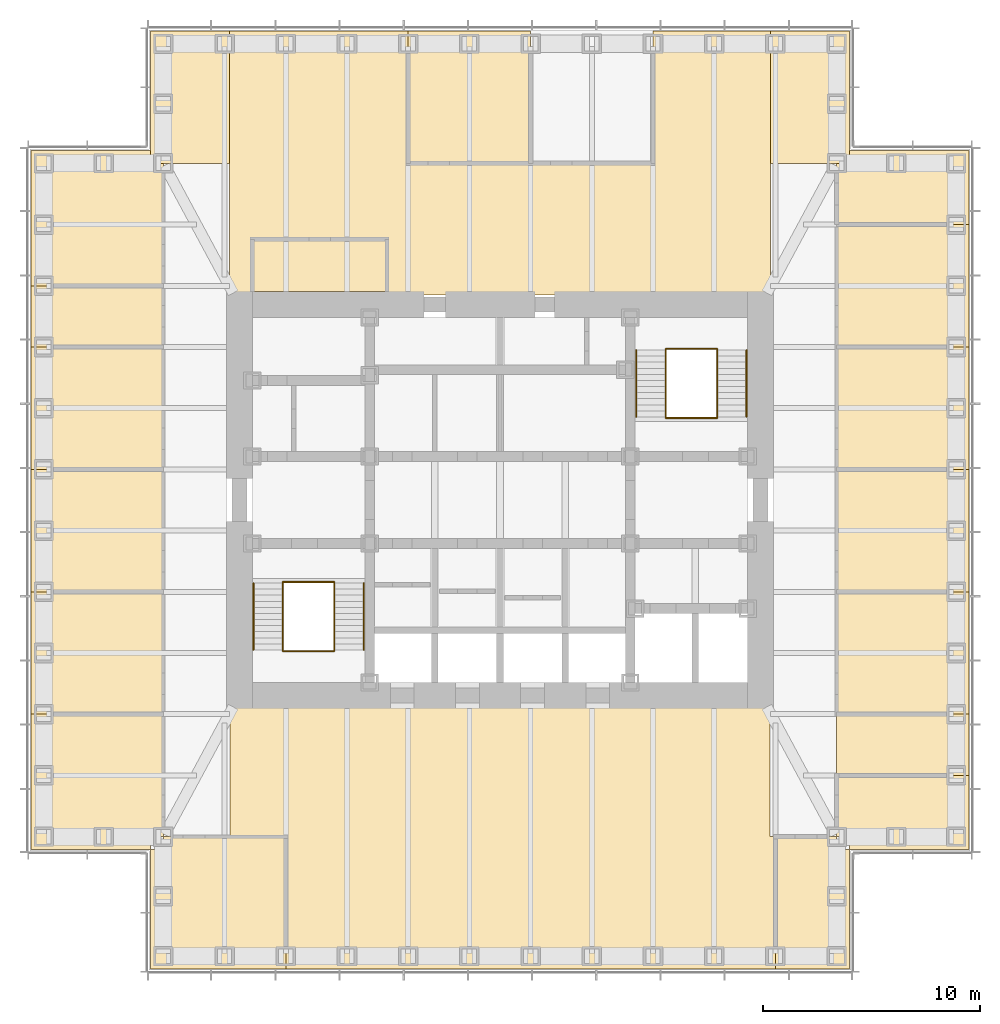
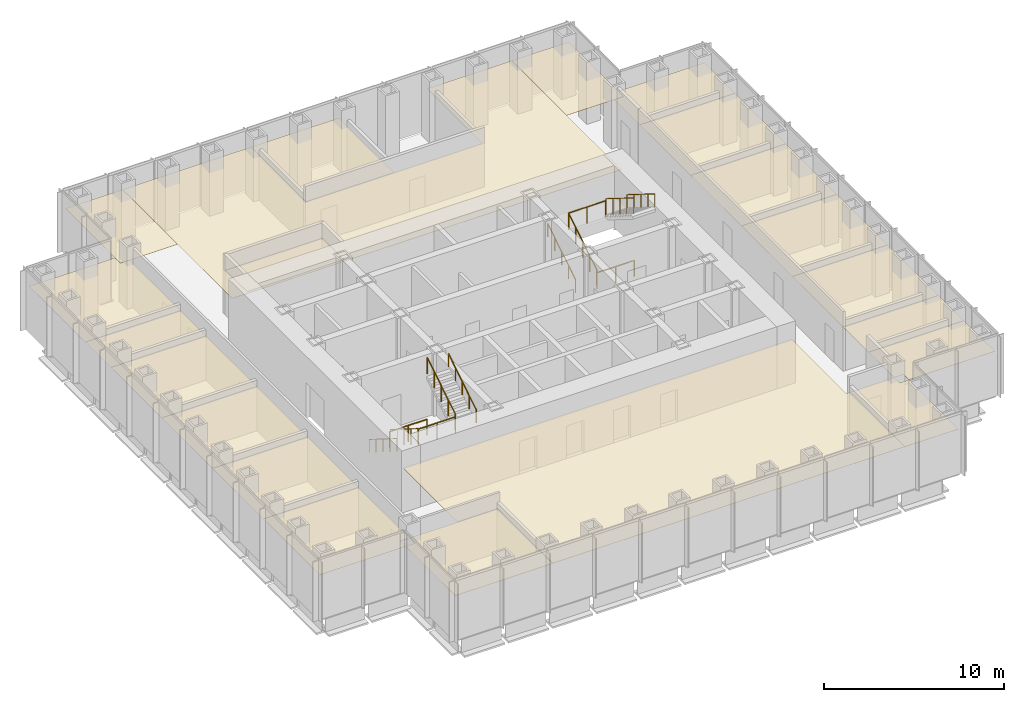
# One storey, part 16 of 16: 21 coverings, 12 railings.
"""IFC4 building model written with IfcOpenShell, lengths in metres."""

import ifcopenshell
import ifcopenshell.guid

model = None  # the IFC model being written
_history = None  # IfcOwnerHistory: only IFC2X3 demands one
_inside = {}  # id of a spatial element -> (the spatial element, [elements in it])
_under = {}  # id of a project, library or spatial element -> (it, [spatial elements below it])
_declared = {}  # id of a project -> (the project, [libraries it declares])
_typed = {}  # id of a type object -> (the type object, [elements of that type])
_made_of = {}  # id of a material, layer set ... -> (it, [elements and type objects made of it])


def new_model(schema):
    """Start an empty IFC model of exactly this schema.

    Asked for "IFC4X3", IfcOpenShell would pick the latest addendum, in which some entities
    have other attributes; the version numbers below select the first issue.
    IFC2X3 requires an IfcOwnerHistory on every rooted entity: one is made here for all.
    """
    global model, _history
    if schema == "IFC4X3":
        model = ifcopenshell.file(schema_version=(4, 3, 0, 0))
    else:
        model = ifcopenshell.file(schema=schema)
    _inside.clear()
    _under.clear()
    _declared.clear()
    _typed.clear()
    _made_of.clear()
    _history = None
    if model.schema == "IFC2X3":
        org = make("IfcOrganization", Name="unknown")
        user = make(
            "IfcPersonAndOrganization",
            ThePerson=make("IfcPerson", FamilyName="unknown"),
            TheOrganization=org,
        )
        app = make(
            "IfcApplication",
            ApplicationDeveloper=org,
            Version="unknown",
            ApplicationFullName="unknown",
            ApplicationIdentifier="unknown",
        )
        _history = make(
            "IfcOwnerHistory",
            OwningUser=user,
            OwningApplication=app,
            ChangeAction="ADDED",
            CreationDate=0,
        )
    return model


def make(cls, **values):
    """One entity of the class cls with the attributes given. An attribute that is None is left unset."""
    return model.create_entity(
        cls, **{name: value for name, value in values.items() if value is not None}
    )


def rooted(cls, **values):
    """An entity with a GlobalId (a new one), such as an element, a storey or a relation."""
    return make(cls, GlobalId=ifcopenshell.guid.new(), OwnerHistory=_history, **values)


def si_unit(unit_type, name, prefix=None):
    """IfcSIUnit, for example si_unit("LENGTHUNIT", "METRE", prefix="MILLI")."""
    return make("IfcSIUnit", UnitType=unit_type, Prefix=prefix, Name=name)


def assignment(units):
    """IfcUnitAssignment: the units of a project."""
    return None if units is None else make("IfcUnitAssignment", Units=units)


def point(xyz):
    """IfcCartesianPoint."""
    return None if xyz is None else make("IfcCartesianPoint", Coordinates=xyz)


def direction(xyz):
    """IfcDirection."""
    return None if xyz is None else make("IfcDirection", DirectionRatios=xyz)


def frame(location, z_axis=None, x_axis=None):
    """IfcAxis2Placement3D, a coordinate frame: its origin and axes. An axis left out is left unset."""
    return make(
        "IfcAxis2Placement3D",
        Location=point(location),
        Axis=direction(z_axis),
        RefDirection=direction(x_axis),
    )


def frame_2d(location, x_axis=None):
    """IfcAxis2Placement2D, a coordinate frame in the plane: its origin and x axis."""
    return make(
        "IfcAxis2Placement2D", Location=point(location), RefDirection=direction(x_axis)
    )


def origin():
    """The frame at (0, 0, 0) with its axes left unset."""
    return frame((0.0, 0.0, 0.0))


def origin_2d():
    """The frame at (0, 0) in the plane with its x axis left unset."""
    return frame_2d((0.0, 0.0))


def place(relative_to, where):
    """IfcLocalPlacement: puts the frame where relative to a parent placement (None: the world)."""
    return make(
        "IfcLocalPlacement", PlacementRelTo=relative_to, RelativePlacement=where
    )


def context(
    kind, dimensions, precision=None, world=None, true_north=None, identifier=None
):
    """IfcGeometricRepresentationContext, for example the 3D "Model" context."""
    return make(
        "IfcGeometricRepresentationContext",
        ContextIdentifier=identifier,
        ContextType=kind,
        CoordinateSpaceDimension=dimensions,
        Precision=precision,
        WorldCoordinateSystem=world,
        TrueNorth=true_north,
    )


def subcontext(parent, identifier, kind, view, scale=None):
    """IfcGeometricRepresentationSubContext, for example "Body" below "Model"."""
    return make(
        "IfcGeometricRepresentationSubContext",
        ContextIdentifier=identifier,
        ContextType=kind,
        ParentContext=parent,
        TargetScale=scale,
        TargetView=view,
    )


def project(units=None, contexts=None):
    """IfcProject with its units and contexts."""
    return rooted(
        "IfcProject",
        Name="project",
        RepresentationContexts=contexts,
        UnitsInContext=assignment(units),
    )


def spatial(cls, under=None, at=None, **own):
    """A site, building, storey or space (cls), placed at a placement, below another one or the project."""
    s = rooted(cls, ObjectPlacement=at, **own)
    if under is not None:
        _under.setdefault(under.id(), (under, []))[1].append(s)
    return s


def polyline(points):
    """IfcPolyline through the points."""
    return make("IfcPolyline", Points=[point(p) for p in points])


def profile(cls, at=None, kind="AREA", **sizes):
    """A parametric profile (cls). Its sizes go by their IFC names, for example OverallWidth=200.0."""
    return make(cls, ProfileType=kind, Position=at, **sizes)


def circle(**sizes):
    """IfcCircleProfileDef."""
    return profile("IfcCircleProfileDef", **sizes)


def outline(outer, holes=None, kind="AREA"):
    """IfcArbitraryClosedProfileDef: a profile drawn as a closed curve; with holes, ...WithVoids."""
    if holes is None:
        return make("IfcArbitraryClosedProfileDef", ProfileType=kind, OuterCurve=outer)
    return make(
        "IfcArbitraryProfileDefWithVoids",
        ProfileType=kind,
        OuterCurve=outer,
        InnerCurves=holes,
    )


def extrude(swept, where, along, depth):
    """IfcExtrudedAreaSolid: the profile swept, set in the frame where, extruded along a direction by depth."""
    return make(
        "IfcExtrudedAreaSolid",
        SweptArea=swept,
        Position=where,
        ExtrudedDirection=direction(along),
        Depth=depth,
    )


def shape(context_of_items, identifier, shape_type, items):
    """IfcShapeRepresentation: the items that make up one representation, for example the "Body"."""
    return make(
        "IfcShapeRepresentation",
        ContextOfItems=context_of_items,
        RepresentationIdentifier=identifier,
        RepresentationType=shape_type,
        Items=items,
    )


def material(Name=None, Category=None):
    """IfcMaterial."""
    return make("IfcMaterial", Name=Name, Category=Category)


def layer(
    of_material, thickness, ventilated=None, Name=None, Category=None, Priority=None
):
    """IfcMaterialLayer: one layer of a wall or slab, of a material (None: an air gap)."""
    return make(
        "IfcMaterialLayer",
        Material=of_material,
        LayerThickness=thickness,
        IsVentilated=ventilated,
        Name=Name,
        Category=Category,
        Priority=Priority,
    )


def layer_set(layers, Name=None):
    """IfcMaterialLayerSet."""
    return make("IfcMaterialLayerSet", MaterialLayers=layers, LayerSetName=Name)


def made_of(thing, what):
    """Note that an element or type object is made of a material, layer set ...; save() writes the relation."""
    if what is not None:
        _made_of.setdefault(what.id(), (what, []))[1].append(thing)
    return thing


def type_object(cls, material=None, **own):
    """A type object (cls), such as IfcWallType, which elements share."""
    return made_of(rooted(cls, **own), material)


def element(
    cls,
    number,
    at=None,
    inside=None,
    cuts=None,
    type_object=None,
    material=None,
    context=None,
    identifier="Body",
    shape_type=None,
    held_by="IfcProductDefinitionShape",
    body=None,
    shapes=None,
    **own,
):
    """One element of the class cls, such as IfcWall. Its Tag is "e" and its number.

    at: its placement. inside: the storey or other place that contains it. cuts: it is an
    opening in that element (IfcRelVoidsElement). A single representation is given by context,
    identifier, shape_type and body (its items); several are given by shapes. held_by: the class
    of the entity that holds the representations. save() writes the other relations.
    """
    e = rooted(cls, Tag="e%d" % number, ObjectPlacement=at, **own)
    if body is not None:
        shapes = [shape(context, identifier, shape_type, body)]
    if shapes is not None:
        e.Representation = make(held_by, Representations=shapes)
    if inside is not None:
        _inside.setdefault(inside.id(), (inside, []))[1].append(e)
    if cuts is not None:
        rooted(
            "IfcRelVoidsElement", RelatingBuildingElement=cuts, RelatedOpeningElement=e
        )
    if type_object is not None:
        _typed.setdefault(type_object.id(), (type_object, []))[1].append(e)
    return made_of(e, material)


def aggregate(whole, parts):
    """IfcRelAggregates: a whole, such as a stair, and the parts it consists of."""
    return rooted("IfcRelAggregates", RelatingObject=whole, RelatedObjects=parts)


def save(model, path):
    """Write the relations noted so far, then the file.

    IfcRelAggregates (storeys below a building ...), IfcRelContainedInSpatialStructure (elements
    in a storey), IfcRelDefinesByType, IfcRelAssociatesMaterial and IfcRelDeclares: one each for
    every whole, place, type object, material and project.
    """
    for whole, parts in _under.values():
        aggregate(whole, parts)
    for where, things in _inside.values():
        rooted(
            "IfcRelContainedInSpatialStructure",
            RelatedElements=things,
            RelatingStructure=where,
        )
    for kind, things in _typed.values():
        rooted("IfcRelDefinesByType", RelatedObjects=things, RelatingType=kind)
    for what, things in _made_of.values():
        rooted("IfcRelAssociatesMaterial", RelatedObjects=things, RelatingMaterial=what)
    for by, libraries in _declared.values():
        rooted("IfcRelDeclares", RelatingContext=by, RelatedDefinitions=libraries)
    model.write(path)


model = new_model("IFC4")

# Units and contexts
model_context = context("Model", 3, precision=1e-05, world=origin(), true_north=direction((0.0, 1.0)))
body_context = subcontext(model_context, "Body", "Model", "MODEL_VIEW")
ifc_project = project(units=[si_unit("LENGTHUNIT", "METRE"), si_unit("AREAUNIT", "SQUARE_METRE"), si_unit("VOLUMEUNIT", "CUBIC_METRE"), si_unit("PLANEANGLEUNIT", "RADIAN"), si_unit("MASSUNIT", "GRAM", prefix="KILO")], contexts=[model_context])

# Site, building, storey
site_placement = place(None, origin())
site = spatial("IfcSite", under=ifc_project, at=site_placement, CompositionType="ELEMENT")
building_placement = place(site_placement, origin())
building = spatial("IfcBuilding", under=site, at=building_placement, Name="Daluyong Arena Tower", CompositionType="ELEMENT")
storey_placement = place(building_placement, frame((0.0, 0.0, 189.699951171875)))
storey = spatial("IfcBuildingStorey", under=building, at=storey_placement, Name="L42", CompositionType="ELEMENT", Elevation=189.699951171875)

# Coverings
ifc_material_1 = material(Name="Mineral fibre ceiling tile", Category="gypsum board")
ifc_layer = layer(ifc_material_1, 0.02001953125)
ifc_layer_set = layer_set([ifc_layer], Name="Mineral fibre ceiling tile")
covering_type = type_object("IfcCoveringType", Name="Office ceiling", PredefinedType="CEILING", material=ifc_layer_set)
covering_1_placement = place(storey_placement, frame((0.0, 0.0, 2.900146484375)))
element("IfcCovering", 1, at=covering_1_placement, inside=storey, type_object=covering_type, Name="ceiling L42-01", PredefinedType="CEILING", context=body_context, shape_type="SweptSolid", body=[
    extrude(outline(polyline([(39.89990234375, 63.89990234375), (39.89990234375, 58.39990234375), (46.136474609375, 58.39990234375), (46.136474609375, 64.5), (40.5, 64.5), (40.5, 63.89990234375), (39.89990234375, 63.89990234375)])), origin(), (0.0, 0.0, 1.0), 0.02001953125),
])
covering_2_placement = place(storey_placement, frame((0.0, 0.0, 2.900146484375)))
element("IfcCovering", 2, at=covering_2_placement, inside=storey, type_object=covering_type, Name="ceiling L42-02", PredefinedType="CEILING", context=body_context, shape_type="SweptSolid", body=[
    extrude(outline(polyline([(72.10009765625, 58.39990234375), (72.10009765625, 63.89990234375), (71.5, 63.89990234375), (71.5, 64.5), (68.681884765625, 64.5), (68.681884765625, 58.39990234375), (72.10009765625, 58.39990234375)])), origin(), (0.0, 0.0, 1.0), 0.02001953125),
])
covering_3_placement = place(storey_placement, frame((0.0, 0.0, 2.900146484375)))
element("IfcCovering", 3, at=covering_3_placement, inside=storey, type_object=covering_type, Name="ceiling L42-03", PredefinedType="CEILING", context=body_context, shape_type="SweptSolid", body=[
    extrude(outline(polyline([(72.10009765625, 63.89990234375), (77.60009765625, 63.89990234375), (77.60009765625, 67.318115234375), (71.5, 67.318115234375), (71.5, 64.5), (72.10009765625, 64.5), (72.10009765625, 63.89990234375)])), origin(), (0.0, 0.0, 1.0), 0.02001953125),
])
covering_4_placement = place(storey_placement, frame((0.0, 0.0, 2.900146484375)))
element("IfcCovering", 4, at=covering_4_placement, inside=storey, type_object=covering_type, Name="ceiling L42-04", PredefinedType="CEILING", context=body_context, shape_type="SweptSolid", body=[
    extrude(outline(polyline([(71.5, 70.136474609375), (77.60009765625, 70.136474609375), (77.60009765625, 75.772705078125), (71.5, 75.772705078125), (71.5, 70.136474609375)])), origin(), (0.0, 0.0, 1.0), 0.02001953125),
])
covering_5_placement = place(storey_placement, frame((0.0, 0.0, 2.900146484375)))
element("IfcCovering", 5, at=covering_5_placement, inside=storey, type_object=covering_type, Name="ceiling L42-05", PredefinedType="CEILING", context=body_context, shape_type="SweptSolid", body=[
    extrude(outline(polyline([(71.5, 75.772705078125), (77.60009765625, 75.772705078125), (77.60009765625, 81.4091796875), (71.5, 81.4091796875), (71.5, 75.772705078125)])), origin(), (0.0, 0.0, 1.0), 0.02001953125),
])
covering_6_placement = place(storey_placement, frame((0.0, 0.0, 2.900146484375)))
element("IfcCovering", 6, at=covering_6_placement, inside=storey, type_object=covering_type, Name="ceiling L42-06", PredefinedType="CEILING", context=body_context, shape_type="SweptSolid", body=[
    extrude(outline(polyline([(71.5, 81.4091796875), (77.60009765625, 81.4091796875), (77.60009765625, 87.04541015625), (71.5, 87.04541015625), (71.5, 81.4091796875)])), origin(), (0.0, 0.0, 1.0), 0.02001953125),
])
covering_7_placement = place(storey_placement, frame((0.0, 0.0, 2.900146484375)))
element("IfcCovering", 7, at=covering_7_placement, inside=storey, type_object=covering_type, Name="ceiling L42-07", PredefinedType="CEILING", context=body_context, shape_type="SweptSolid", body=[
    extrude(outline(polyline([(71.5, 87.04541015625), (77.60009765625, 87.04541015625), (77.60009765625, 92.681884765625), (71.5, 92.681884765625), (71.5, 87.04541015625)])), origin(), (0.0, 0.0, 1.0), 0.02001953125),
])
covering_8_placement = place(storey_placement, frame((0.0, 0.0, 2.900146484375)))
element("IfcCovering", 8, at=covering_8_placement, inside=storey, type_object=covering_type, Name="ceiling L42-08", PredefinedType="CEILING", context=body_context, shape_type="SweptSolid", body=[
    extrude(outline(polyline([(71.5, 92.681884765625), (77.60009765625, 92.681884765625), (77.60009765625, 96.10009765625), (72.10009765625, 96.10009765625), (72.10009765625, 95.5), (71.5, 95.5), (71.5, 92.681884765625)])), origin(), (0.0, 0.0, 1.0), 0.02001953125),
])
covering_9_placement = place(storey_placement, frame((0.0, 0.0, 2.900146484375)))
element("IfcCovering", 9, at=covering_9_placement, inside=storey, type_object=covering_type, Name="ceiling L42-09", PredefinedType="CEILING", context=body_context, shape_type="SweptSolid", body=[
    extrude(outline(polyline([(57.4091796875, 95.5), (57.4091796875, 101.60009765625), (51.772705078125, 101.60009765625), (51.772705078125, 95.5), (57.4091796875, 95.5)])), origin(), (0.0, 0.0, 1.0), 0.02001953125),
])
covering_10_placement = place(storey_placement, frame((0.0, 0.0, 2.900146484375)))
element("IfcCovering", 10, at=covering_10_placement, inside=storey, type_object=covering_type, Name="ceiling L42-11", PredefinedType="CEILING", context=body_context, shape_type="SweptSolid", body=[
    extrude(outline(polyline([(34.39990234375, 63.89990234375), (39.89990234375, 63.89990234375), (39.89990234375, 64.5), (40.5, 64.5), (40.5, 70.136474609375), (34.39990234375, 70.136474609375), (34.39990234375, 63.89990234375)])), origin(), (0.0, 0.0, 1.0), 0.02001953125),
])
covering_11_placement = place(storey_placement, frame((0.0, 0.0, 2.900146484375)))
element("IfcCovering", 11, at=covering_11_placement, inside=storey, type_object=covering_type, Name="ceiling L42-12", PredefinedType="CEILING", context=body_context, shape_type="SweptSolid", body=[
    extrude(outline(polyline([(40.5, 75.772705078125), (34.39990234375, 75.772705078125), (34.39990234375, 70.136474609375), (40.5, 70.136474609375), (40.5, 75.772705078125)])), origin(), (0.0, 0.0, 1.0), 0.02001953125),
])
covering_12_placement = place(storey_placement, frame((0.0, 0.0, 2.900146484375)))
element("IfcCovering", 12, at=covering_12_placement, inside=storey, type_object=covering_type, Name="ceiling L42-13", PredefinedType="CEILING", context=body_context, shape_type="SweptSolid", body=[
    extrude(outline(polyline([(40.5, 81.4091796875), (34.39990234375, 81.4091796875), (34.39990234375, 75.772705078125), (40.5, 75.772705078125), (40.5, 81.4091796875)])), origin(), (0.0, 0.0, 1.0), 0.02001953125),
])
covering_13_placement = place(storey_placement, frame((0.0, 0.0, 2.900146484375)))
element("IfcCovering", 13, at=covering_13_placement, inside=storey, type_object=covering_type, Name="ceiling L42-14", PredefinedType="CEILING", context=body_context, shape_type="SweptSolid", body=[
    extrude(outline(polyline([(40.5, 87.04541015625), (34.39990234375, 87.04541015625), (34.39990234375, 81.4091796875), (40.5, 81.4091796875), (40.5, 87.04541015625)])), origin(), (0.0, 0.0, 1.0), 0.02001953125),
])
covering_14_placement = place(storey_placement, frame((0.0, 0.0, 2.900146484375)))
element("IfcCovering", 14, at=covering_14_placement, inside=storey, type_object=covering_type, Name="ceiling L42-15", PredefinedType="CEILING", context=body_context, shape_type="SweptSolid", body=[
    extrude(outline(polyline([(40.5, 89.863525390625), (34.39990234375, 89.863525390625), (34.39990234375, 87.04541015625), (40.5, 87.04541015625), (40.5, 89.863525390625)])), origin(), (0.0, 0.0, 1.0), 0.02001953125),
])
covering_15_placement = place(storey_placement, frame((0.0, 0.0, 2.900146484375)))
element("IfcCovering", 15, at=covering_15_placement, inside=storey, type_object=covering_type, Name="ceiling L42-16", PredefinedType="CEILING", context=body_context, shape_type="SweptSolid", body=[
    extrude(outline(polyline([(40.5, 89.863525390625), (40.5, 95.5), (39.89990234375, 95.5), (39.89990234375, 96.10009765625), (34.39990234375, 96.10009765625), (34.39990234375, 89.863525390625), (40.5, 89.863525390625)])), origin(), (0.0, 0.0, 1.0), 0.02001953125),
])
covering_16_placement = place(storey_placement, frame((0.0, 0.0, 2.900146484375)))
element("IfcCovering", 16, at=covering_16_placement, inside=storey, type_object=covering_type, Name="ceiling L42-17", PredefinedType="CEILING", context=body_context, shape_type="SweptSolid", body=[
    extrude(outline(polyline([(44.60009765625, 89.60009765625), (50.800048828125, 89.60009765625), (50.800048828125, 92.0), (44.60009765625, 92.0), (44.60009765625, 89.60009765625)])), origin(), (0.0, 0.0, 1.0), 0.02001953125),
])
covering_17_placement = place(storey_placement, frame((0.0, 0.0, 2.900146484375)))
element("IfcCovering", 17, at=covering_17_placement, inside=storey, type_object=covering_type, Name="ceiling L42-20", PredefinedType="CEILING", context=body_context, shape_type="SweptSolid", body=[
    extrude(outline(polyline([(68.449951171875, 58.39990234375), (68.681884765625, 58.400146484375), (68.681884765625, 64.499755859375), (68.43994140625, 64.5), (68.43994140625, 70.5400390625), (43.56005859375, 70.5400390625), (43.56005859375, 64.510009765625), (46.146484375, 64.510009765625), (46.146484375, 58.409912109375), (68.449462890625, 58.409912109375), (68.449951171875, 58.39990234375)])), origin(), (0.0, 0.0, 1.0), 0.02001953125),
])
covering_18_placement = place(storey_placement, frame((0.0, 0.0, 2.900146484375)))
element("IfcCovering", 18, at=covering_18_placement, inside=storey, type_object=covering_type, Name="ceiling L42-21", PredefinedType="CEILING", context=body_context, shape_type="SweptSolid", body=[
    extrude(outline(polyline([(72.10009765625, 101.60009765625), (68.449951171875, 101.60009765625), (68.449951171875, 95.5), (72.10009765625, 95.5), (72.10009765625, 101.60009765625)])), origin(), (0.0, 0.0, 1.0), 0.02001953125),
])
covering_19_placement = place(storey_placement, frame((0.0, 0.0, 2.900146484375)))
element("IfcCovering", 19, at=covering_19_placement, inside=storey, type_object=covering_type, Name="ceiling L42-22", PredefinedType="CEILING", context=body_context, shape_type="SweptSolid", body=[
    extrude(outline(polyline([(77.60009765625, 67.318115234375), (77.60009765625, 70.136474609375), (71.5, 70.136474609375), (71.5, 67.318115234375), (77.60009765625, 67.318115234375)])), origin(), (0.0, 0.0, 1.0), 0.02001953125),
])
covering_20_placement = place(storey_placement, frame((0.0, 0.0, 2.900146484375)))
element("IfcCovering", 20, at=covering_20_placement, inside=storey, type_object=covering_type, Name="ceiling L42-23", PredefinedType="CEILING", context=body_context, shape_type="SweptSolid", body=[
    extrude(outline(polyline([(51.772705078125, 95.5), (51.772705078125, 101.60009765625), (43.550048828125, 101.60009765625), (43.550048828125, 89.449951171875), (68.449951171875, 89.449951171875), (68.449951171875, 101.60009765625), (63.04541015625, 101.60009765625), (63.04541015625, 95.5), (51.772705078125, 95.5)]), holes=[polyline([(44.60009765625, 89.60009765625), (44.60009765625, 92.0), (50.800048828125, 92.0), (50.800048828125, 89.60009765625), (44.60009765625, 89.60009765625)])]), origin(), (0.0, 0.0, 1.0), 0.02001953125),
])
covering_21_placement = place(storey_placement, frame((0.0, 0.0, 2.900146484375)))
element("IfcCovering", 21, at=covering_21_placement, inside=storey, type_object=covering_type, Name="ceiling L42-24", PredefinedType="CEILING", context=body_context, shape_type="SweptSolid", body=[
    extrude(outline(polyline([(43.550048828125, 95.5), (43.550048828125, 101.60009765625), (39.89990234375, 101.60009765625), (39.89990234375, 95.5), (43.550048828125, 95.5)])), origin(), (0.0, 0.0, 1.0), 0.02001953125),
])

# Railings
ifc_material_2 = material(Name="Stainless steel handrail", Category="steel")
railing_type_1 = type_object("IfcRailingType", Name="Stair handrail", PredefinedType="HANDRAIL", material=ifc_material_2)
railing_1_placement = place(storey_placement, frame((44.64990234375, 76.175048828125, 0.175048828125)))
element("IfcRailing", 22, at=railing_1_placement, inside=storey, type_object=railing_type_1, Name="exit stair A handrail L42", PredefinedType="HANDRAIL", context=body_context, shape_type="SweptSolid", body=[
    extrude(circle(Radius=0.02392578125, at=origin_2d()), frame((0.0, 0.0, 0.8759765625), z_axis=(0.0, -0.847998304005, 0.529998940003), x_axis=(1.0, 0.0, 0.0)), (0.0, 0.0, 1.0), 3.632080078125),
    extrude(circle(Radius=0.02099609375, at=origin_2d()), origin(), (0.0, 0.0, 1.0), 0.851806640625),
    extrude(circle(Radius=0.02099609375, at=origin_2d()), frame((0.0, -0.77001953125, 0.481201171875)), (0.0, 0.0, 1.0), 0.851806640625),
    extrude(circle(Radius=0.02099609375, at=origin_2d()), frame((0.0, -1.5400390625, 0.96240234375)), (0.0, 0.0, 1.0), 0.851806640625),
    extrude(circle(Radius=0.02099609375, at=origin_2d()), frame((0.0, -2.31005859375, 1.44384765625)), (0.0, 0.0, 1.0), 0.851806640625),
    extrude(circle(Radius=0.02099609375, at=origin_2d()), frame((0.0, -3.080078125, 1.925048828125)), (0.0, 0.0, 1.0), 0.851806640625),
])
railing_2_placement = place(storey_placement, frame((49.72509765625, 73.094970703125, 2.275146484375)))
element("IfcRailing", 23, at=railing_2_placement, inside=storey, type_object=railing_type_1, Name="exit stair A handrail L42", PredefinedType="HANDRAIL", context=body_context, shape_type="SweptSolid", body=[
    extrude(circle(Radius=0.02392578125, at=origin_2d()), frame((0.0, 0.0, 0.8759765625), z_axis=(0.0, 0.848028513186, 0.529950602248), x_axis=(-1.0, 0.0, 0.0)), (0.0, 0.0, 1.0), 3.632080078125),
    extrude(circle(Radius=0.02099609375, at=origin_2d()), origin(), (0.0, 0.0, 1.0), 0.851806640625),
    extrude(circle(Radius=0.02099609375, at=origin_2d()), frame((0.0, 0.77001953125, 0.481201171875)), (0.0, 0.0, 1.0), 0.851806640625),
    extrude(circle(Radius=0.02099609375, at=origin_2d()), frame((0.0, 1.5400390625, 0.96240234375)), (0.0, 0.0, 1.0), 0.851806640625),
    extrude(circle(Radius=0.02099609375, at=origin_2d()), frame((0.0, 2.31005859375, 1.443603515625)), (0.0, 0.0, 1.0), 0.851806640625),
    extrude(circle(Radius=0.02099609375, at=origin_2d()), frame((0.0, 3.080078125, 1.9248046875)), (0.0, 0.0, 1.0), 0.851806640625),
])
railing_3_placement = place(storey_placement, frame((62.27490234375, 83.824951171875, 0.175048828125)))
element("IfcRailing", 24, at=railing_3_placement, inside=storey, type_object=railing_type_1, Name="exit stair B handrail L42", PredefinedType="HANDRAIL", context=body_context, shape_type="SweptSolid", body=[
    extrude(circle(Radius=0.02392578125, at=origin_2d()), frame((0.0, 0.0, 0.8759765625), z_axis=(0.0, 0.847998304005, 0.529998940003), x_axis=(-1.0, 0.0, 0.0)), (0.0, 0.0, 1.0), 3.632080078125),
    extrude(circle(Radius=0.02099609375, at=origin_2d()), origin(), (0.0, 0.0, 1.0), 0.851806640625),
    extrude(circle(Radius=0.02099609375, at=origin_2d()), frame((0.0, 0.77001953125, 0.481201171875)), (0.0, 0.0, 1.0), 0.851806640625),
    extrude(circle(Radius=0.02099609375, at=origin_2d()), frame((0.0, 1.5400390625, 0.96240234375)), (0.0, 0.0, 1.0), 0.851806640625),
    extrude(circle(Radius=0.02099609375, at=origin_2d()), frame((0.0, 2.31005859375, 1.44384765625)), (0.0, 0.0, 1.0), 0.851806640625),
    extrude(circle(Radius=0.02099609375, at=origin_2d()), frame((0.0, 3.080078125, 1.925048828125)), (0.0, 0.0, 1.0), 0.851806640625),
])
railing_4_placement = place(storey_placement, frame((67.35009765625, 86.905029296875, 2.275146484375)))
element("IfcRailing", 25, at=railing_4_placement, inside=storey, type_object=railing_type_1, Name="exit stair B handrail L42", PredefinedType="HANDRAIL", context=body_context, shape_type="SweptSolid", body=[
    extrude(circle(Radius=0.02392578125, at=origin_2d()), frame((0.0, 0.0, 0.8759765625), z_axis=(0.0, -0.848028513186, 0.529950602248), x_axis=(1.0, 0.0, 0.0)), (0.0, 0.0, 1.0), 3.632080078125),
    extrude(circle(Radius=0.02099609375, at=origin_2d()), origin(), (0.0, 0.0, 1.0), 0.851806640625),
    extrude(circle(Radius=0.02099609375, at=origin_2d()), frame((0.0, -0.77001953125, 0.481201171875)), (0.0, 0.0, 1.0), 0.851806640625),
    extrude(circle(Radius=0.02099609375, at=origin_2d()), frame((0.0, -1.5400390625, 0.96240234375)), (0.0, 0.0, 1.0), 0.851806640625),
    extrude(circle(Radius=0.02099609375, at=origin_2d()), frame((0.0, -2.31005859375, 1.443603515625)), (0.0, 0.0, 1.0), 0.851806640625),
    extrude(circle(Radius=0.02099609375, at=origin_2d()), frame((0.0, -3.080078125, 1.9248046875)), (0.0, 0.0, 1.0), 0.851806640625),
])
ifc_material_3 = material(Name="Steel balustrade", Category="steel")
railing_type_2 = type_object("IfcRailingType", Name="Stair well guard 1100", PredefinedType="GUARDRAIL", material=ifc_material_3)
railing_5_placement = place(storey_placement, frame((46.0, 76.175048828125, 0.175048828125)))
element("IfcRailing", 26, at=railing_5_placement, inside=storey, type_object=railing_type_2, Name="exit stair A well guard L42", PredefinedType="GUARDRAIL", context=body_context, shape_type="SweptSolid", body=[
    extrude(circle(Radius=0.02392578125, at=origin_2d()), frame((0.0, 0.0, 1.076171875), z_axis=(0.0, -0.847998304005, 0.529998940003), x_axis=(1.0, 0.0, 0.0)), (0.0, 0.0, 1.0), 3.632080078125),
    extrude(circle(Radius=0.02099609375, at=origin_2d()), origin(), (0.0, 0.0, 1.0), 1.052001953125),
    extrude(circle(Radius=0.02099609375, at=origin_2d()), frame((0.0, -0.77001953125, 0.481201171875)), (0.0, 0.0, 1.0), 1.052001953125),
    extrude(circle(Radius=0.02099609375, at=origin_2d()), frame((0.0, -1.5400390625, 0.96240234375)), (0.0, 0.0, 1.0), 1.052001953125),
    extrude(circle(Radius=0.02099609375, at=origin_2d()), frame((0.0, -2.31005859375, 1.44384765625)), (0.0, 0.0, 1.0), 1.052001953125),
    extrude(circle(Radius=0.02099609375, at=origin_2d()), frame((0.0, -3.080078125, 1.925048828125)), (0.0, 0.0, 1.0), 1.052001953125),
])
railing_6_placement = place(storey_placement, frame((48.375, 73.094970703125, 2.275146484375)))
element("IfcRailing", 27, at=railing_6_placement, inside=storey, type_object=railing_type_2, Name="exit stair A well guard L42", PredefinedType="GUARDRAIL", context=body_context, shape_type="SweptSolid", body=[
    extrude(circle(Radius=0.02392578125, at=origin_2d()), frame((0.0, 0.0, 1.076171875), z_axis=(0.0, 0.848028513186, 0.529950602248), x_axis=(-1.0, 0.0, 0.0)), (0.0, 0.0, 1.0), 3.632080078125),
    extrude(circle(Radius=0.02099609375, at=origin_2d()), origin(), (0.0, 0.0, 1.0), 1.052001953125),
    extrude(circle(Radius=0.02099609375, at=origin_2d()), frame((0.0, 0.77001953125, 0.481201171875)), (0.0, 0.0, 1.0), 1.052001953125),
    extrude(circle(Radius=0.02099609375, at=origin_2d()), frame((0.0, 1.5400390625, 0.96240234375)), (0.0, 0.0, 1.0), 1.052001953125),
    extrude(circle(Radius=0.02099609375, at=origin_2d()), frame((0.0, 2.31005859375, 1.443603515625)), (0.0, 0.0, 1.0), 1.052001953125),
    extrude(circle(Radius=0.02099609375, at=origin_2d()), frame((0.0, 3.080078125, 1.9248046875)), (0.0, 0.0, 1.0), 1.052001953125),
])
for number, where, name in (
    (28, (46.0, 73.044921875, 2.10009765625), "exit stair A landing guard L42"),
    (29, (46.0, 76.22509765625, 0.0), "exit stair A floor landing guard L42"),
):
    element("IfcRailing", number, at=place(storey_placement, frame(where)), inside=storey, type_object=railing_type_2, Name=name, PredefinedType="GUARDRAIL", context=body_context, shape_type="SweptSolid", body=[
        extrude(circle(Radius=0.02392578125, at=origin_2d()), frame((0.0, 0.0, 1.076171875), z_axis=(1.0, 0.0, 0.0), x_axis=(0.0, 1.0, 0.0)), (0.0, 0.0, 1.0), 2.375),
        extrude(circle(Radius=0.02099609375, at=origin_2d()), origin(), (0.0, 0.0, 1.0), 1.052001953125),
        extrude(circle(Radius=0.02099609375, at=origin_2d()), frame((1.1875, 0.0, 0.0)), (0.0, 0.0, 1.0), 1.052001953125),
        extrude(circle(Radius=0.02099609375, at=origin_2d()), frame((2.375, 0.0, 0.0)), (0.0, 0.0, 1.0), 1.052001953125),
    ])
railing_7_placement = place(storey_placement, frame((63.625, 83.824951171875, 0.175048828125)))
element("IfcRailing", 30, at=railing_7_placement, inside=storey, type_object=railing_type_2, Name="exit stair B well guard L42", PredefinedType="GUARDRAIL", context=body_context, shape_type="SweptSolid", body=[
    extrude(circle(Radius=0.02392578125, at=origin_2d()), frame((0.0, 0.0, 1.076171875), z_axis=(0.0, 0.847998304005, 0.529998940003), x_axis=(-1.0, 0.0, 0.0)), (0.0, 0.0, 1.0), 3.632080078125),
    extrude(circle(Radius=0.02099609375, at=origin_2d()), origin(), (0.0, 0.0, 1.0), 1.052001953125),
    extrude(circle(Radius=0.02099609375, at=origin_2d()), frame((0.0, 0.77001953125, 0.481201171875)), (0.0, 0.0, 1.0), 1.052001953125),
    extrude(circle(Radius=0.02099609375, at=origin_2d()), frame((0.0, 1.5400390625, 0.96240234375)), (0.0, 0.0, 1.0), 1.052001953125),
    extrude(circle(Radius=0.02099609375, at=origin_2d()), frame((0.0, 2.31005859375, 1.44384765625)), (0.0, 0.0, 1.0), 1.052001953125),
    extrude(circle(Radius=0.02099609375, at=origin_2d()), frame((0.0, 3.080078125, 1.925048828125)), (0.0, 0.0, 1.0), 1.052001953125),
])
railing_8_placement = place(storey_placement, frame((66.0, 86.905029296875, 2.275146484375)))
element("IfcRailing", 31, at=railing_8_placement, inside=storey, type_object=railing_type_2, Name="exit stair B well guard L42", PredefinedType="GUARDRAIL", context=body_context, shape_type="SweptSolid", body=[
    extrude(circle(Radius=0.02392578125, at=origin_2d()), frame((0.0, 0.0, 1.076171875), z_axis=(0.0, -0.848028513186, 0.529950602248), x_axis=(1.0, 0.0, 0.0)), (0.0, 0.0, 1.0), 3.632080078125),
    extrude(circle(Radius=0.02099609375, at=origin_2d()), origin(), (0.0, 0.0, 1.0), 1.052001953125),
    extrude(circle(Radius=0.02099609375, at=origin_2d()), frame((0.0, -0.77001953125, 0.481201171875)), (0.0, 0.0, 1.0), 1.052001953125),
    extrude(circle(Radius=0.02099609375, at=origin_2d()), frame((0.0, -1.5400390625, 0.96240234375)), (0.0, 0.0, 1.0), 1.052001953125),
    extrude(circle(Radius=0.02099609375, at=origin_2d()), frame((0.0, -2.31005859375, 1.443603515625)), (0.0, 0.0, 1.0), 1.052001953125),
    extrude(circle(Radius=0.02099609375, at=origin_2d()), frame((0.0, -3.080078125, 1.9248046875)), (0.0, 0.0, 1.0), 1.052001953125),
])
for number, where, name in (
    (32, (63.625, 86.955078125, 2.10009765625), "exit stair B landing guard L42"),
    (33, (63.625, 83.77490234375, 0.0), "exit stair B floor landing guard L42"),
):
    element("IfcRailing", number, at=place(storey_placement, frame(where)), inside=storey, type_object=railing_type_2, Name=name, PredefinedType="GUARDRAIL", context=body_context, shape_type="SweptSolid", body=[
        extrude(circle(Radius=0.02392578125, at=origin_2d()), frame((0.0, 0.0, 1.076171875), z_axis=(1.0, 0.0, 0.0), x_axis=(0.0, 1.0, 0.0)), (0.0, 0.0, 1.0), 2.375),
        extrude(circle(Radius=0.02099609375, at=origin_2d()), origin(), (0.0, 0.0, 1.0), 1.052001953125),
        extrude(circle(Radius=0.02099609375, at=origin_2d()), frame((1.1875, 0.0, 0.0)), (0.0, 0.0, 1.0), 1.052001953125),
        extrude(circle(Radius=0.02099609375, at=origin_2d()), frame((2.375, 0.0, 0.0)), (0.0, 0.0, 1.0), 1.052001953125),
    ])

save(model, "model.ifc")
